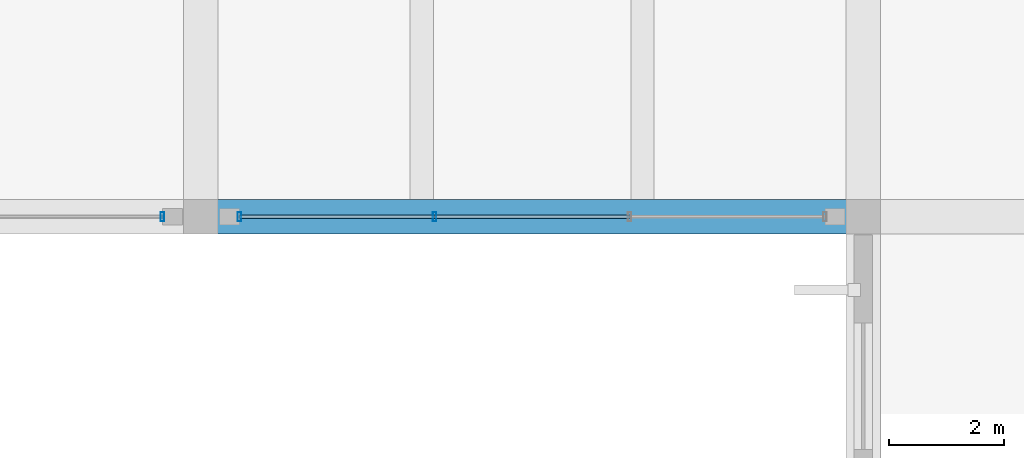
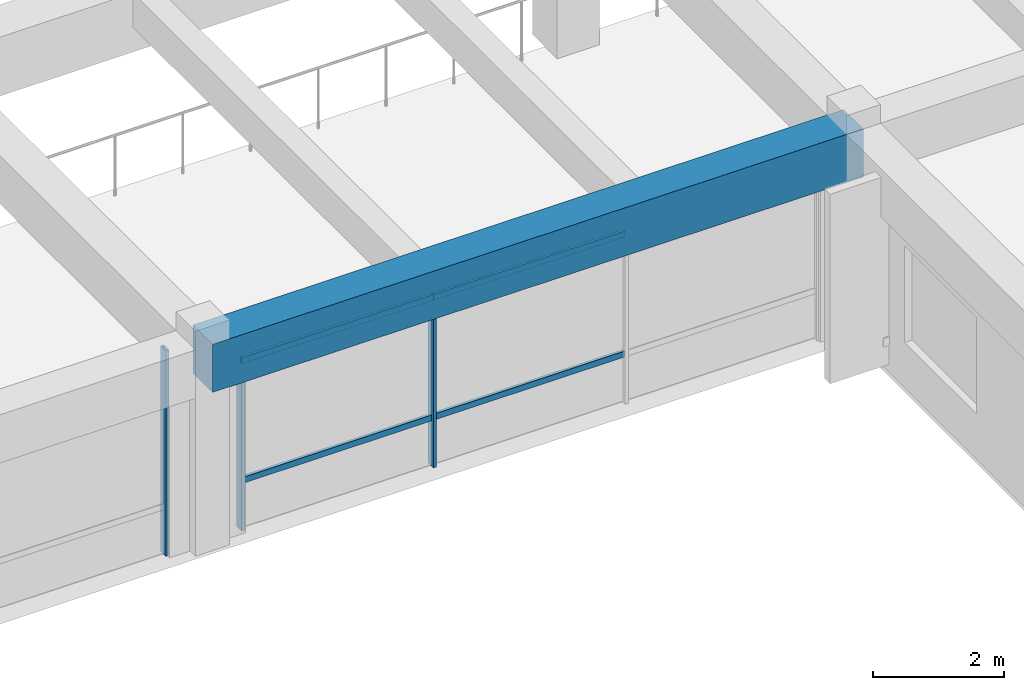
# One storey, part 50 of 98: 7 members, 1 beam, 2 elements without a shape of their own.
"""IFC4 building model written with IfcOpenShell, lengths in metres."""

from ifc_helpers import new_model, si_unit, direction, frame, origin, origin_2d, place, context, subcontext, project, spatial, rectangle, hollow_rectangle, extrude, material, material_profile, profile_set, type_object, element, aggregate, save


model = new_model("IFC4")

# Units and contexts
model_context = context("Model", 3, precision=1e-05, world=origin(), true_north=direction((0.0, 1.0)))
body_context = subcontext(model_context, "Body", "Model", "MODEL_VIEW")
ifc_project = project(units=[si_unit("LENGTHUNIT", "METRE"), si_unit("AREAUNIT", "SQUARE_METRE"), si_unit("VOLUMEUNIT", "CUBIC_METRE"), si_unit("PLANEANGLEUNIT", "RADIAN"), si_unit("MASSUNIT", "GRAM", prefix="KILO")], contexts=[model_context])

# Site, building, storey
site_placement = place(None, origin())
site = spatial("IfcSite", under=ifc_project, at=site_placement, CompositionType="ELEMENT")
building_placement = place(site_placement, origin())
building = spatial("IfcBuilding", under=site, at=building_placement, Name="Ologun Quay Terminus", CompositionType="ELEMENT")
storey_placement = place(building_placement, frame((0.0, 0.0, 4.199951171875)))
storey = spatial("IfcBuildingStorey", under=building, at=storey_placement, Name="L01", CompositionType="ELEMENT", Elevation=4.199951171875)

# Curtain wall, member
ifc_material_1 = material(Name="Aluminium 6063-T6", Category="aluminium")
curtain_wall_type = type_object("IfcCurtainWallType", Name="Forecourt Mezzanine Curtain Wall 10700x3850", PredefinedType="USERDEFINED", material=ifc_material_1)
curtain_wall_1_placement = place(storey_placement, origin())
curtain_wall_1 = element("IfcCurtainWall", 1, at=curtain_wall_1_placement, inside=storey, type_object=curtain_wall_type, Name="CW-04 Curtain Wall CW-L01-018", ObjectType="UNITISED CURTAIN WALL", PredefinedType="USERDEFINED")
ifc_material_2 = material(Name="Aluminium 6063-T6", Category="aluminium")
ifc_material_profile_1 = material_profile(ifc_material_2, hollow_rectangle(XDim=0.06005859375, YDim=0.159912109375, WallThickness=0.00390625, at=origin_2d()), Name="ALU 160x60x4")
ifc_profile_set_1 = profile_set([ifc_material_profile_1], Name="Aluminium 6063-T6")
member_type_1 = type_object("IfcMemberType", Name="Curtain Wall Standard Mullion 160x65", PredefinedType="MULLION", material=ifc_profile_set_1)
member_1_placement = place(storey_placement, frame((160.330078125, 27.199951171875, 0.0), z_axis=(0.0, 0.0, 1.0), x_axis=(1.0, 0.0, 0.0)))
member_1 = element("IfcMember", 2, at=member_1_placement, type_object=member_type_1, Name="CW-L01-018 Mullion 4", PredefinedType="MULLION", context=body_context, shape_type="SweptSolid", body=[
    extrude(hollow_rectangle(XDim=0.06005859375, YDim=0.159912109375, WallThickness=0.00390625, at=origin_2d()), origin(), (0.0, 0.0, 1.0), 3.840087890625),
])
aggregate(curtain_wall_1, [member_1])

# Curtain wall, members
curtain_wall_2_placement = place(storey_placement, origin())
curtain_wall_2 = element("IfcCurtainWall", 3, at=curtain_wall_2_placement, inside=storey, type_object=curtain_wall_type, Name="CW-04 Curtain Wall CW-L01-019", ObjectType="UNITISED CURTAIN WALL", PredefinedType="USERDEFINED")
member_2_placement = place(storey_placement, frame((161.669921875, 27.199951171875, 0.0), z_axis=(0.0, 0.0, 1.0), x_axis=(1.0, 0.0, 0.0)))
member_2 = element("IfcMember", 4, at=member_2_placement, type_object=member_type_1, Name="CW-L01-019 Mullion 1", PredefinedType="MULLION", context=body_context, shape_type="SweptSolid", body=[
    extrude(hollow_rectangle(XDim=0.06005859375, YDim=0.159912109375, WallThickness=0.00390625, at=origin_2d()), origin(), (0.0, 0.0, 1.0), 3.840087890625),
])
member_3_placement = place(storey_placement, frame((165.056640625, 27.199951171875, 0.0), z_axis=(0.0, 0.0, 1.0), x_axis=(1.0, 0.0, 0.0)))
member_3 = element("IfcMember", 5, at=member_3_placement, type_object=member_type_1, Name="CW-L01-019 Mullion 2", PredefinedType="MULLION", context=body_context, shape_type="SweptSolid", body=[
    extrude(hollow_rectangle(XDim=0.06005859375, YDim=0.159912109375, WallThickness=0.00390625, at=origin_2d()), origin(), (0.0, 0.0, 1.0), 3.840087890625),
])
ifc_material_3 = material(Name="Aluminium 6063-T6", Category="aluminium")
ifc_material_profile_2 = material_profile(ifc_material_3, hollow_rectangle(XDim=0.054931640625, YDim=0.110107421875, WallThickness=0.00390625, at=origin_2d()), Name="ALU 110x55x4")
ifc_profile_set_2 = profile_set([ifc_material_profile_2], Name="Aluminium 6063-T6")
member_type_2 = type_object("IfcMemberType", Name="Curtain Wall Standard Transom 110x55", PredefinedType="USERDEFINED", material=ifc_profile_set_2)
member_4_placement = place(storey_placement, frame((161.669921875, 27.199951171875, 0.900146484375), z_axis=(1.0, 0.0, 0.0), x_axis=(0.0, 1.0, 0.0)))
member_4 = element("IfcMember", 6, at=member_4_placement, type_object=member_type_2, Name="CW-L01-019 Transom B1-1", ObjectType="TRANSOM", PredefinedType="USERDEFINED", context=body_context, shape_type="SweptSolid", body=[
    extrude(hollow_rectangle(XDim=0.054931640625, YDim=0.110107421875, WallThickness=0.00390625, at=origin_2d()), origin(), (0.0, 0.0, 1.0), 3.38671875),
])
member_5_placement = place(storey_placement, frame((161.669921875, 27.199951171875, 3.14013671875), z_axis=(1.0, 0.0, 0.0), x_axis=(0.0, 1.0, 0.0)))
member_5 = element("IfcMember", 7, at=member_5_placement, type_object=member_type_2, Name="CW-L01-019 Transom B1-2", ObjectType="TRANSOM", PredefinedType="USERDEFINED", context=body_context, shape_type="SweptSolid", body=[
    extrude(hollow_rectangle(XDim=0.054931640625, YDim=0.110107421875, WallThickness=0.00390625, at=origin_2d()), origin(), (0.0, 0.0, 1.0), 3.38671875),
])
member_6_placement = place(storey_placement, frame((165.056640625, 27.199951171875, 0.900146484375), z_axis=(1.0, 0.0, 0.0), x_axis=(0.0, 1.0, 0.0)))
member_6 = element("IfcMember", 8, at=member_6_placement, type_object=member_type_2, Name="CW-L01-019 Transom B2-1", ObjectType="TRANSOM", PredefinedType="USERDEFINED", context=body_context, shape_type="SweptSolid", body=[
    extrude(hollow_rectangle(XDim=0.054931640625, YDim=0.110107421875, WallThickness=0.00390625, at=origin_2d()), origin(), (0.0, 0.0, 1.0), 3.38671875),
])
member_7_placement = place(storey_placement, frame((165.056640625, 27.199951171875, 3.14013671875), z_axis=(1.0, 0.0, 0.0), x_axis=(0.0, 1.0, 0.0)))
member_7 = element("IfcMember", 9, at=member_7_placement, type_object=member_type_2, Name="CW-L01-019 Transom B2-2", ObjectType="TRANSOM", PredefinedType="USERDEFINED", context=body_context, shape_type="SweptSolid", body=[
    extrude(hollow_rectangle(XDim=0.054931640625, YDim=0.110107421875, WallThickness=0.00390625, at=origin_2d()), origin(), (0.0, 0.0, 1.0), 3.38671875),
])
aggregate(curtain_wall_2, [member_2, member_3, member_4, member_5, member_6, member_7])

# Beam
ifc_material_4 = material(Name="Concrete C40/50", Category="concrete")
ifc_material_profile_3 = material_profile(ifc_material_4, rectangle(XDim=0.60009765625, YDim=0.89990234375, at=origin_2d()), Name="RC 600x900")
ifc_profile_set_3 = profile_set([ifc_material_profile_3], Name="Concrete C40/50")
beam_type = type_object("IfcBeamType", Name="Station Frame Girder 600x900", PredefinedType="BEAM", material=ifc_profile_set_3)
beam_placement = place(storey_placement, frame((161.0, 27.199951171875, 3.400146484375), z_axis=(1.0, 0.0, 0.0), x_axis=(0.0, 1.0, 0.0)))
element("IfcBeam", 10, at=beam_placement, inside=storey, type_object=beam_type, Name="B3 Beam 15/D L01", PredefinedType="BEAM", context=body_context, shape_type="SweptSolid", body=[
    extrude(rectangle(XDim=0.60009765625, YDim=0.89990234375, at=origin_2d()), origin(), (0.0, 0.0, 1.0), 11.5),
])

save(model, "model.ifc")
